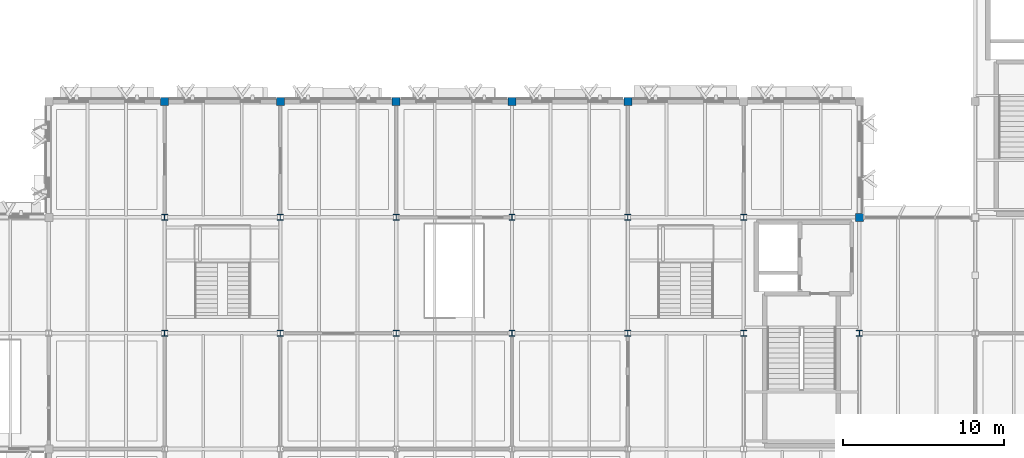
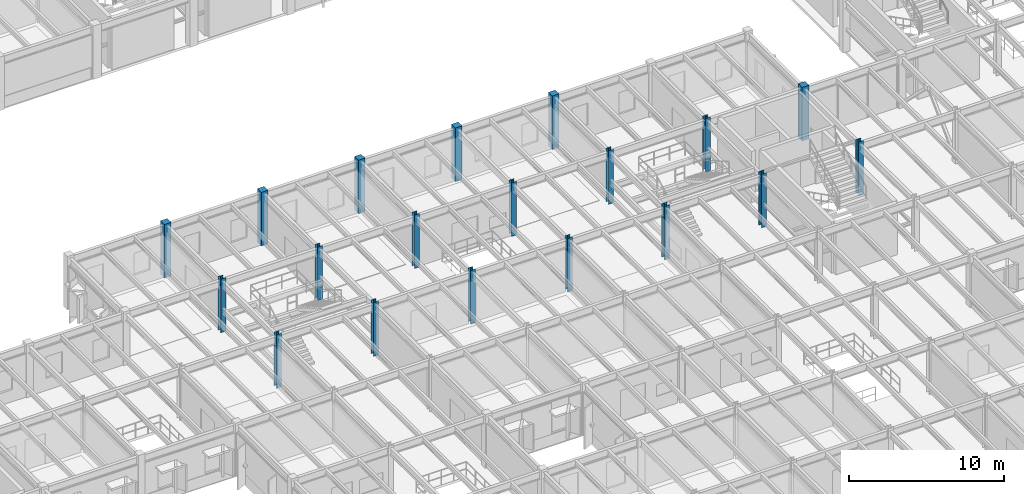
# One storey, part 7 of 85: 19 columns.
"""IFC4 building model written with IfcOpenShell, lengths in metres."""

from ifc_helpers import new_model, si_unit, direction, frame, origin, origin_2d, place, context, subcontext, project, spatial, rectangle, i_section, extrude, material, material_profile, profile_set, type_object, element, save


model = new_model("IFC4")

# Units and contexts
model_context = context("Model", 3, precision=1e-05, world=origin(), true_north=direction((0.0, 1.0)))
body_context = subcontext(model_context, "Body", "Model", "MODEL_VIEW")
ifc_project = project(units=[si_unit("LENGTHUNIT", "METRE"), si_unit("AREAUNIT", "SQUARE_METRE"), si_unit("VOLUMEUNIT", "CUBIC_METRE"), si_unit("PLANEANGLEUNIT", "RADIAN"), si_unit("MASSUNIT", "GRAM", prefix="KILO")], contexts=[model_context])

# Site, building, storey
site_placement = place(None, origin())
site = spatial("IfcSite", under=ifc_project, at=site_placement, CompositionType="ELEMENT")
building_placement = place(site_placement, origin())
building = spatial("IfcBuilding", under=site, at=building_placement, Name="Sillqori Civic Hall", CompositionType="ELEMENT")
storey_placement = place(building_placement, frame((0.0, 0.0, 9.89990234375)))
storey = spatial("IfcBuildingStorey", under=building, at=storey_placement, Name="L03", CompositionType="ELEMENT", Elevation=9.89990234375)

# Columns
ifc_material_1 = material(Name="Concrete C35/45 (H35)", Category="concrete")
ifc_material_profile_1 = material_profile(ifc_material_1, rectangle(XDim=0.5, YDim=0.5, at=origin_2d()), Name="RC 500x500")
ifc_profile_set_1 = profile_set([ifc_material_profile_1], Name="Concrete C35/45 (H35)")
column_type_1 = type_object("IfcColumnType", Name="COL-RC500", PredefinedType="COLUMN", material=ifc_profile_set_1)
for number, where, z_axis, x_axis, name in (
    (1, (72.0, 57.60009765625, 0.0), (0.0, 0.0, 1.0), (1.0, 0.0, 0.0), "L03 column 10-8"),
    (2, (79.199951171875, 57.60009765625, 0.0), (0.0, 0.0, 1.0), (1.0, 0.0, 0.0), "L03 column 11-8"),
    (3, (86.39990234375, 57.60009765625, 0.0), (0.0, 0.0, 1.0), (1.0, 0.0, 0.0), "L03 column 12-8"),
    (4, (93.60009765625, 57.60009765625, 0.0), (0.0, 0.0, 1.0), (1.0, 0.0, 0.0), "L03 column 13-8"),
    (5, (100.800048828125, 57.60009765625, 0.0), (0.0, 0.0, 1.0), (1.0, 0.0, 0.0), "L03 column 14-8"),
    (6, (115.199951171875, 50.39990234375, 0.0), (0.0, 0.0, 1.0), (1.0, 0.0, 0.0), "L03 column 16-7"),
):
    element("IfcColumn", number, at=place(storey_placement, frame(where, z_axis=z_axis, x_axis=x_axis)), inside=storey, type_object=column_type_1, Name=name, PredefinedType="COLUMN", context=body_context, shape_type="SweptSolid", body=[
        extrude(rectangle(XDim=0.5, YDim=0.5, at=origin_2d()), origin(), (0.0, 0.0, 1.0), 4.2001953125),
    ])
ifc_material_2 = material(Name="Steel ASTM A992", Category="steel")
ifc_material_profile_2 = material_profile(ifc_material_2, i_section(OverallWidth=0.37109375, OverallDepth=0.361083984375, WebThickness=0.012451171875, FlangeThickness=0.019775390625, FilletRadius=0.014892578125, at=origin_2d()), Name="W14X99")
ifc_profile_set_2 = profile_set([ifc_material_profile_2], Name="Steel ASTM A992")
column_type_2 = type_object("IfcColumnType", Name="COL-W14X99", PredefinedType="COLUMN", material=ifc_profile_set_2)
for number, where, z_axis, x_axis, name in (
    (7, (72.0, 43.199951171875, 0.0), (0.0, 0.0, 1.0), (1.0, 0.0, 0.0), "L03 column 10-6"),
    (8, (72.0, 50.39990234375, 0.0), (0.0, 0.0, 1.0), (1.0, 0.0, 0.0), "L03 column 10-7"),
    (9, (79.199951171875, 43.199951171875, 0.0), (0.0, 0.0, 1.0), (1.0, 0.0, 0.0), "L03 column 11-6"),
    (10, (79.199951171875, 50.39990234375, 0.0), (0.0, 0.0, 1.0), (1.0, 0.0, 0.0), "L03 column 11-7"),
    (11, (86.39990234375, 43.199951171875, 0.0), (0.0, 0.0, 1.0), (1.0, 0.0, 0.0), "L03 column 12-6"),
    (12, (86.39990234375, 50.39990234375, 0.0), (0.0, 0.0, 1.0), (1.0, 0.0, 0.0), "L03 column 12-7"),
    (13, (93.60009765625, 43.199951171875, 0.0), (0.0, 0.0, 1.0), (1.0, 0.0, 0.0), "L03 column 13-6"),
    (14, (93.60009765625, 50.39990234375, 0.0), (0.0, 0.0, 1.0), (1.0, 0.0, 0.0), "L03 column 13-7"),
    (15, (100.800048828125, 43.199951171875, 0.0), (0.0, 0.0, 1.0), (1.0, 0.0, 0.0), "L03 column 14-6"),
    (16, (100.800048828125, 50.39990234375, 0.0), (0.0, 0.0, 1.0), (1.0, 0.0, 0.0), "L03 column 14-7"),
    (17, (108.0, 43.199951171875, 0.0), (0.0, 0.0, 1.0), (1.0, 0.0, 0.0), "L03 column 15-6"),
    (18, (108.0, 50.39990234375, 0.0), (0.0, 0.0, 1.0), (1.0, 0.0, 0.0), "L03 column 15-7"),
    (19, (115.199951171875, 43.199951171875, 0.0), (0.0, 0.0, 1.0), (1.0, 0.0, 0.0), "L03 column 16-6"),
):
    element("IfcColumn", number, at=place(storey_placement, frame(where, z_axis=z_axis, x_axis=x_axis)), inside=storey, type_object=column_type_2, Name=name, PredefinedType="COLUMN", context=body_context, shape_type="SweptSolid", body=[
        extrude(i_section(OverallWidth=0.37109375, OverallDepth=0.361083984375, WebThickness=0.012451171875, FlangeThickness=0.019775390625, FilletRadius=0.014892578125, at=origin_2d()), origin(), (0.0, 0.0, 1.0), 4.2001953125),
    ])

save(model, "model.ifc")
